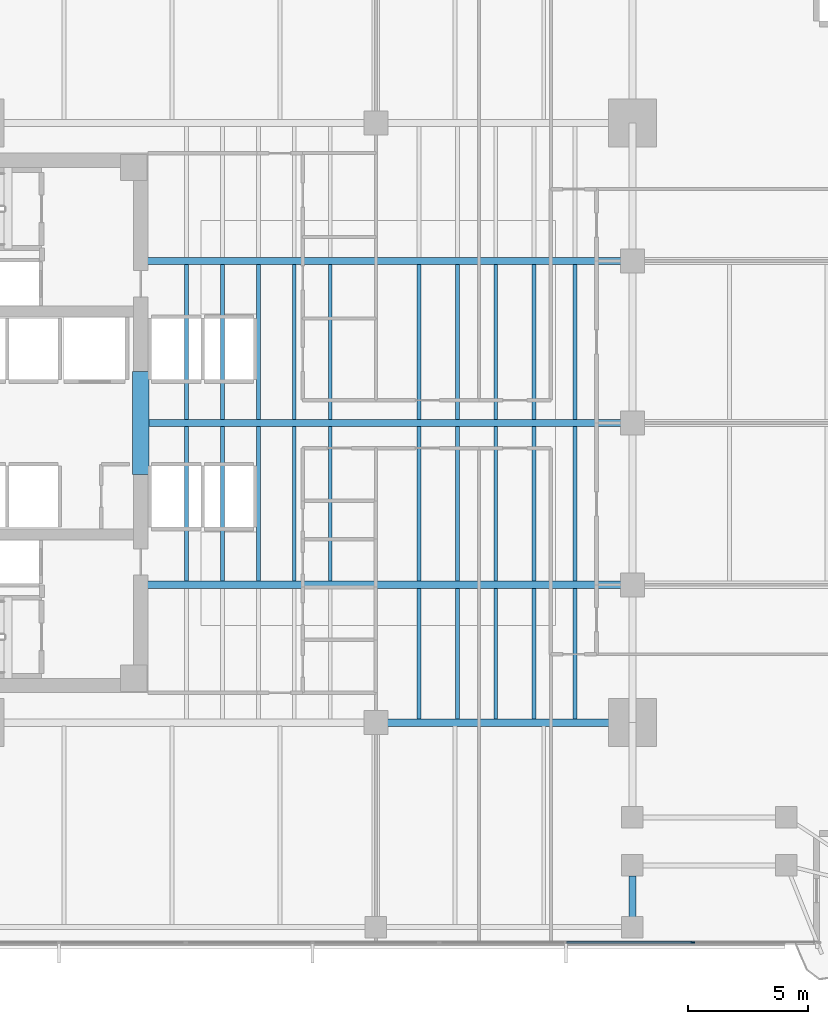
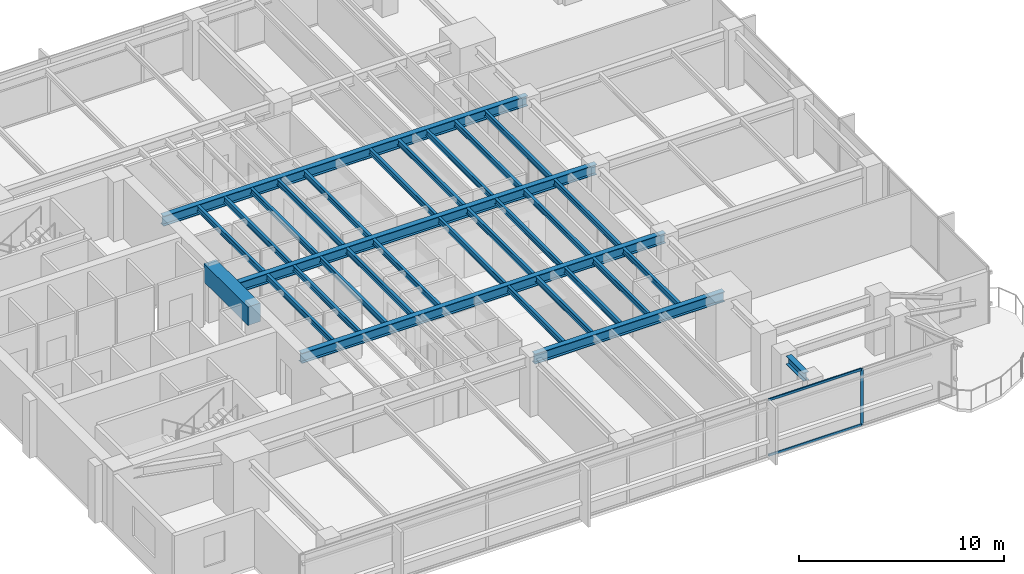
# One storey, part 3 of 14: 31 beams, 3 members, 1 element without a shape of its own.
"""IFC4 building model written with IfcOpenShell, lengths in metres."""

from ifc_helpers import new_model, si_unit, direction, frame, origin, origin_2d, place, context, subcontext, project, spatial, rectangle, i_section, extrude, material, layer, layer_set, material_profile, profile_set, type_object, element, aggregate, save


model = new_model("IFC4")

# Units and contexts
model_context = context("Model", 3, precision=1e-05, world=origin(), true_north=direction((0.0, 1.0)))
body_context = subcontext(model_context, "Body", "Model", "MODEL_VIEW")
ifc_project = project(units=[si_unit("LENGTHUNIT", "METRE"), si_unit("AREAUNIT", "SQUARE_METRE"), si_unit("VOLUMEUNIT", "CUBIC_METRE"), si_unit("PLANEANGLEUNIT", "RADIAN"), si_unit("MASSUNIT", "GRAM", prefix="KILO")], contexts=[model_context])

# Site, building, storey
site_placement = place(None, origin())
site = spatial("IfcSite", under=ifc_project, at=site_placement, CompositionType="ELEMENT")
building_placement = place(site_placement, origin())
building = spatial("IfcBuilding", under=site, at=building_placement, Name="Kinhvarn Gate Tower", CompositionType="ELEMENT")
storey_placement = place(building_placement, frame((0.0, 0.0, 102.25)))
storey = spatial("IfcBuildingStorey", under=building, at=storey_placement, Name="L26", CompositionType="ELEMENT", Elevation=102.25)

# Beam
ifc_material_1 = material(Name="Concrete C70/85", Category="concrete")
ifc_material_profile_1 = material_profile(ifc_material_1, rectangle(XDim=0.699951171875, YDim=1.10009765625, at=origin_2d()), Name="RC 700x1100")
ifc_profile_set_1 = profile_set([ifc_material_profile_1], Name="Concrete C70/85")
beam_type_1 = type_object("IfcBeamType", Name="BM-CB-1100", PredefinedType="LINTEL", material=ifc_profile_set_1)
beam_1_placement = place(storey_placement, frame((17.699951171875, 23.10009765625, 2.820068359375), z_axis=(0.0, 1.0, 0.0), x_axis=(-1.0, 0.0, 0.0)))
element("IfcBeam", 1, at=beam_1_placement, inside=storey, type_object=beam_type_1, Name="Core East Portal Coupling Beam L26", PredefinedType="LINTEL", context=body_context, shape_type="SweptSolid", body=[
    extrude(rectangle(XDim=0.699951171875, YDim=1.10009765625, at=origin_2d()), origin(), (0.0, 0.0, 1.0), 4.2998046875),
])

# Curtain wall, members
ifc_material_2 = material(Name="Anodised aluminium AW-6063", Category="aluminium")
ifc_layer = layer(ifc_material_2, 0.179931640625)
ifc_layer_set = layer_set([ifc_layer], Name="Anodised aluminium AW-6063")
curtain_wall_type = type_object("IfcCurtainWallType", Name="CW-SYS-3", PredefinedType="NOTDEFINED", material=ifc_layer_set)
curtain_wall_placement = place(storey_placement, origin())
curtain_wall = element("IfcCurtainWall", 2, at=curtain_wall_placement, inside=storey, type_object=curtain_wall_type, Name="Curtain Wall CW3 (L26)", PredefinedType="NOTDEFINED")
ifc_material_profile_2 = material_profile(ifc_material_2, rectangle(XDim=0.06494140625, YDim=0.159912109375, at=origin_2d()), Name="ALU 65x160")
ifc_profile_set_2 = profile_set([ifc_material_profile_2], Name="Anodised aluminium AW-6063")
member_type_1 = type_object("IfcMemberType", Name="CW-MUL-160", PredefinedType="MULLION", material=ifc_profile_set_2)
member_1_placement = place(storey_placement, frame((40.71435546875, 3.590087890625, 0.0), z_axis=(0.0, 0.0, 1.0), x_axis=(0.0, 1.0, 0.0)))
member_1 = element("IfcMember", 3, at=member_1_placement, type_object=member_type_1, Name="CW3 mullion 7", PredefinedType="MULLION", context=body_context, shape_type="SweptSolid", body=[
    extrude(rectangle(XDim=0.06494140625, YDim=0.159912109375, at=origin_2d()), origin(), (0.0, 0.0, 1.0), 3.3701171875),
])
ifc_material_profile_3 = material_profile(ifc_material_2, rectangle(XDim=0.070068359375, YDim=0.139892578125, at=origin_2d()), Name="ALU 70x140")
ifc_profile_set_3 = profile_set([ifc_material_profile_3], Name="Anodised aluminium AW-6063")
member_type_2 = type_object("IfcMemberType", Name="CW-TRN-140", PredefinedType="USERDEFINED", material=ifc_profile_set_3)
member_2_placement = place(storey_placement, frame((35.461181640625, 3.590087890625, 0.034912109375), z_axis=(1.0, 0.0, 0.0), x_axis=(0.0, 1.0, 0.0)))
member_2 = element("IfcMember", 4, at=member_2_placement, type_object=member_type_2, Name="CW3 transom 6.1", ObjectType="TRANSOM", PredefinedType="USERDEFINED", context=body_context, shape_type="SweptSolid", body=[
    extrude(rectangle(XDim=0.070068359375, YDim=0.139892578125, at=origin_2d()), origin(), (0.0, 0.0, 1.0), 5.220703125),
])
member_3_placement = place(storey_placement, frame((35.461181640625, 3.590087890625, 3.3349609375), z_axis=(1.0, 0.0, 0.0), x_axis=(0.0, 1.0, 0.0)))
member_3 = element("IfcMember", 5, at=member_3_placement, type_object=member_type_2, Name="CW3 transom 6.2", ObjectType="TRANSOM", PredefinedType="USERDEFINED", context=body_context, shape_type="SweptSolid", body=[
    extrude(rectangle(XDim=0.070068359375, YDim=0.139892578125, at=origin_2d()), origin(), (0.0, 0.0, 1.0), 5.220703125),
])
aggregate(curtain_wall, [member_1, member_2, member_3])

# Beams
ifc_material_3 = material(Name="Steel S355", Category="steel")
ifc_material_profile_4 = material_profile(ifc_material_3, i_section(OverallWidth=0.300048828125, OverallDepth=0.5, WebThickness=0.014404296875, FlangeThickness=0.028076171875, at=origin_2d()), Name="HEB 500")
ifc_profile_set_4 = profile_set([ifc_material_profile_4], Name="Steel S355")
beam_type_2 = type_object("IfcBeamType", Name="STL-HEB500", PredefinedType="BEAM", material=ifc_profile_set_4)
beam_2_placement = place(storey_placement, frame((38.199951171875, 4.655029296875, 3.1201171875), z_axis=(0.0, 1.0, 0.0), x_axis=(-1.0, 0.0, 0.0)))
element("IfcBeam", 6, at=beam_2_placement, inside=storey, type_object=beam_type_2, Name="Floor Beam PG-14 (L26 MCE-S-A0)", PredefinedType="BEAM", context=body_context, shape_type="SweptSolid", body=[
    extrude(i_section(OverallWidth=0.300048828125, OverallDepth=0.5, WebThickness=0.014404296875, FlangeThickness=0.028076171875, at=origin_2d()), origin(), (0.0, 0.0, 1.0), 1.7099609375),
])
ifc_material_profile_5 = material_profile(ifc_material_3, i_section(OverallWidth=0.300048828125, OverallDepth=0.60009765625, WebThickness=0.015380859375, FlangeThickness=0.030029296875, at=origin_2d()), Name="HEB 600")
ifc_profile_set_5 = profile_set([ifc_material_profile_5], Name="Steel S355")
beam_type_3 = type_object("IfcBeamType", Name="STL-HEB600", PredefinedType="BEAM", material=ifc_profile_set_5)
beam_3_placement = place(storey_placement, frame((27.5, 12.75, 3.070068359375), z_axis=(1.0, 0.0, 0.0), x_axis=(0.0, 1.0, 0.0)))
element("IfcBeam", 7, at=beam_3_placement, inside=storey, type_object=beam_type_3, Name="Floor Beam PG-16 (L26 MG-S2)", PredefinedType="BEAM", context=body_context, shape_type="SweptSolid", body=[
    extrude(i_section(OverallWidth=0.300048828125, OverallDepth=0.60009765625, WebThickness=0.015380859375, FlangeThickness=0.030029296875, at=origin_2d()), origin(), (0.0, 0.0, 1.0), 10.699951171875),
])
beam_4_placement = place(storey_placement, frame((17.64990234375, 18.5, 3.070068359375), z_axis=(1.0, 0.0, 0.0), x_axis=(0.0, 1.0, 0.0)))
element("IfcBeam", 8, at=beam_4_placement, inside=storey, type_object=beam_type_3, Name="Floor Beam PG-16 (L26 EW1-Y18)", PredefinedType="BEAM", context=body_context, shape_type="SweptSolid", body=[
    extrude(i_section(OverallWidth=0.300048828125, OverallDepth=0.60009765625, WebThickness=0.015380859375, FlangeThickness=0.030029296875, at=origin_2d()), origin(), (0.0, 0.0, 1.0), 20.550048828125),
])
beam_5_placement = place(storey_placement, frame((18.050048828125, 25.25, 3.070068359375), z_axis=(1.0, 0.0, 0.0), x_axis=(0.0, 1.0, 0.0)))
element("IfcBeam", 9, at=beam_5_placement, inside=storey, type_object=beam_type_3, Name="Floor Beam PG-16 (L26 EW1-Y25)", PredefinedType="BEAM", context=body_context, shape_type="SweptSolid", body=[
    extrude(i_section(OverallWidth=0.300048828125, OverallDepth=0.60009765625, WebThickness=0.015380859375, FlangeThickness=0.030029296875, at=origin_2d()), origin(), (0.0, 0.0, 1.0), 20.14990234375),
])
beam_6_placement = place(storey_placement, frame((17.64990234375, 32.0, 3.070068359375), z_axis=(1.0, 0.0, 0.0), x_axis=(0.0, 1.0, 0.0)))
element("IfcBeam", 10, at=beam_6_placement, inside=storey, type_object=beam_type_3, Name="Floor Beam PG-16 (L26 EW1-Y32)", PredefinedType="BEAM", context=body_context, shape_type="SweptSolid", body=[
    extrude(i_section(OverallWidth=0.300048828125, OverallDepth=0.60009765625, WebThickness=0.015380859375, FlangeThickness=0.030029296875, at=origin_2d()), origin(), (0.0, 0.0, 1.0), 20.550048828125),
])
ifc_material_profile_6 = material_profile(ifc_material_3, i_section(OverallWidth=0.159912109375, OverallDepth=0.330078125, WebThickness=0.007568359375, FlangeThickness=0.011474609375, at=origin_2d()), Name="IPE 330")
ifc_profile_set_6 = profile_set([ifc_material_profile_6], Name="Steel S355")
beam_type_4 = type_object("IfcBeamType", Name="STL-IPE330", PredefinedType="JOIST", material=ifc_profile_set_6)
for number, where, z_axis, x_axis, name in (
    (11, (19.60009765625, 18.64990234375, 3.205078125), (0.0, 1.0, 0.0), (-1.0, 0.0, 0.0), "Floor Joist SB-03 (L26 JC-X196-1)"),
    (12, (19.60009765625, 25.39990234375, 3.205078125), (0.0, 1.0, 0.0), (-1.0, 0.0, 0.0), "Floor Joist SB-03 (L26 JC-X196-2)"),
    (13, (21.10009765625, 18.64990234375, 3.205078125), (0.0, 1.0, 0.0), (-1.0, 0.0, 0.0), "Floor Joist SB-03 (L26 JC-X211-1)"),
    (14, (21.10009765625, 25.39990234375, 3.205078125), (0.0, 1.0, 0.0), (-1.0, 0.0, 0.0), "Floor Joist SB-03 (L26 JC-X211-2)"),
    (15, (22.60009765625, 18.64990234375, 3.205078125), (0.0, 1.0, 0.0), (-1.0, 0.0, 0.0), "Floor Joist SB-03 (L26 JC-X226-1)"),
    (16, (22.60009765625, 25.39990234375, 3.205078125), (0.0, 1.0, 0.0), (-1.0, 0.0, 0.0), "Floor Joist SB-03 (L26 JC-X226-2)"),
    (17, (24.10009765625, 18.64990234375, 3.205078125), (0.0, 1.0, 0.0), (-1.0, 0.0, 0.0), "Floor Joist SB-03 (L26 JC-X241-1)"),
    (18, (24.10009765625, 25.39990234375, 3.205078125), (0.0, 1.0, 0.0), (-1.0, 0.0, 0.0), "Floor Joist SB-03 (L26 JC-X241-2)"),
    (19, (25.60009765625, 18.64990234375, 3.205078125), (0.0, 1.0, 0.0), (-1.0, 0.0, 0.0), "Floor Joist SB-03 (L26 JC-X256-1)"),
    (20, (25.60009765625, 25.39990234375, 3.205078125), (0.0, 1.0, 0.0), (-1.0, 0.0, 0.0), "Floor Joist SB-03 (L26 JC-X256-2)"),
):
    element("IfcBeam", number, at=place(storey_placement, frame(where, z_axis=z_axis, x_axis=x_axis)), inside=storey, type_object=beam_type_4, Name=name, PredefinedType="JOIST", context=body_context, shape_type="SweptSolid", body=[
        extrude(i_section(OverallWidth=0.159912109375, OverallDepth=0.330078125, WebThickness=0.007568359375, FlangeThickness=0.011474609375, at=origin_2d()), origin(), (0.0, 0.0, 1.0), 6.4501953125),
    ])
beam_7_placement = place(storey_placement, frame((29.300048828125, 12.89990234375, 3.205078125), z_axis=(0.0, 1.0, 0.0), x_axis=(-1.0, 0.0, 0.0)))
element("IfcBeam", 21, at=beam_7_placement, inside=storey, type_object=beam_type_4, Name="Floor Joist SB-03 (L26 JC-X293-0)", PredefinedType="JOIST", context=body_context, shape_type="SweptSolid", body=[
    extrude(i_section(OverallWidth=0.159912109375, OverallDepth=0.330078125, WebThickness=0.007568359375, FlangeThickness=0.011474609375, at=origin_2d()), origin(), (0.0, 0.0, 1.0), 5.4501953125),
])
for number, where, z_axis, x_axis, name in (
    (22, (29.300048828125, 18.64990234375, 3.205078125), (0.0, 1.0, 0.0), (-1.0, 0.0, 0.0), "Floor Joist SB-03 (L26 JC-X293-1)"),
    (23, (29.300048828125, 25.39990234375, 3.205078125), (0.0, 1.0, 0.0), (-1.0, 0.0, 0.0), "Floor Joist SB-03 (L26 JC-X293-2)"),
):
    element("IfcBeam", number, at=place(storey_placement, frame(where, z_axis=z_axis, x_axis=x_axis)), inside=storey, type_object=beam_type_4, Name=name, PredefinedType="JOIST", context=body_context, shape_type="SweptSolid", body=[
        extrude(i_section(OverallWidth=0.159912109375, OverallDepth=0.330078125, WebThickness=0.007568359375, FlangeThickness=0.011474609375, at=origin_2d()), origin(), (0.0, 0.0, 1.0), 6.4501953125),
    ])
beam_8_placement = place(storey_placement, frame((30.89990234375, 12.89990234375, 3.205078125), z_axis=(0.0, 1.0, 0.0), x_axis=(-1.0, 0.0, 0.0)))
element("IfcBeam", 24, at=beam_8_placement, inside=storey, type_object=beam_type_4, Name="Floor Joist SB-03 (L26 JC-X309-0)", PredefinedType="JOIST", context=body_context, shape_type="SweptSolid", body=[
    extrude(i_section(OverallWidth=0.159912109375, OverallDepth=0.330078125, WebThickness=0.007568359375, FlangeThickness=0.011474609375, at=origin_2d()), origin(), (0.0, 0.0, 1.0), 5.4501953125),
])
for number, where, z_axis, x_axis, name in (
    (25, (30.89990234375, 18.64990234375, 3.205078125), (0.0, 1.0, 0.0), (-1.0, 0.0, 0.0), "Floor Joist SB-03 (L26 JC-X309-1)"),
    (26, (30.89990234375, 25.39990234375, 3.205078125), (0.0, 1.0, 0.0), (-1.0, 0.0, 0.0), "Floor Joist SB-03 (L26 JC-X309-2)"),
):
    element("IfcBeam", number, at=place(storey_placement, frame(where, z_axis=z_axis, x_axis=x_axis)), inside=storey, type_object=beam_type_4, Name=name, PredefinedType="JOIST", context=body_context, shape_type="SweptSolid", body=[
        extrude(i_section(OverallWidth=0.159912109375, OverallDepth=0.330078125, WebThickness=0.007568359375, FlangeThickness=0.011474609375, at=origin_2d()), origin(), (0.0, 0.0, 1.0), 6.4501953125),
    ])
beam_9_placement = place(storey_placement, frame((32.5, 12.89990234375, 3.205078125), z_axis=(0.0, 1.0, 0.0), x_axis=(-1.0, 0.0, 0.0)))
element("IfcBeam", 27, at=beam_9_placement, inside=storey, type_object=beam_type_4, Name="Floor Joist SB-03 (L26 JC-X325-0)", PredefinedType="JOIST", context=body_context, shape_type="SweptSolid", body=[
    extrude(i_section(OverallWidth=0.159912109375, OverallDepth=0.330078125, WebThickness=0.007568359375, FlangeThickness=0.011474609375, at=origin_2d()), origin(), (0.0, 0.0, 1.0), 5.4501953125),
])
for number, where, z_axis, x_axis, name in (
    (28, (32.5, 18.64990234375, 3.205078125), (0.0, 1.0, 0.0), (-1.0, 0.0, 0.0), "Floor Joist SB-03 (L26 JC-X325-1)"),
    (29, (32.5, 25.39990234375, 3.205078125), (0.0, 1.0, 0.0), (-1.0, 0.0, 0.0), "Floor Joist SB-03 (L26 JC-X325-2)"),
):
    element("IfcBeam", number, at=place(storey_placement, frame(where, z_axis=z_axis, x_axis=x_axis)), inside=storey, type_object=beam_type_4, Name=name, PredefinedType="JOIST", context=body_context, shape_type="SweptSolid", body=[
        extrude(i_section(OverallWidth=0.159912109375, OverallDepth=0.330078125, WebThickness=0.007568359375, FlangeThickness=0.011474609375, at=origin_2d()), origin(), (0.0, 0.0, 1.0), 6.4501953125),
    ])
beam_10_placement = place(storey_placement, frame((34.10009765625, 12.89990234375, 3.205078125), z_axis=(0.0, 1.0, 0.0), x_axis=(-1.0, 0.0, 0.0)))
element("IfcBeam", 30, at=beam_10_placement, inside=storey, type_object=beam_type_4, Name="Floor Joist SB-03 (L26 JC-X341-0)", PredefinedType="JOIST", context=body_context, shape_type="SweptSolid", body=[
    extrude(i_section(OverallWidth=0.159912109375, OverallDepth=0.330078125, WebThickness=0.007568359375, FlangeThickness=0.011474609375, at=origin_2d()), origin(), (0.0, 0.0, 1.0), 5.4501953125),
])
for number, where, z_axis, x_axis, name in (
    (31, (34.10009765625, 18.64990234375, 3.205078125), (0.0, 1.0, 0.0), (-1.0, 0.0, 0.0), "Floor Joist SB-03 (L26 JC-X341-1)"),
    (32, (34.10009765625, 25.39990234375, 3.205078125), (0.0, 1.0, 0.0), (-1.0, 0.0, 0.0), "Floor Joist SB-03 (L26 JC-X341-2)"),
):
    element("IfcBeam", number, at=place(storey_placement, frame(where, z_axis=z_axis, x_axis=x_axis)), inside=storey, type_object=beam_type_4, Name=name, PredefinedType="JOIST", context=body_context, shape_type="SweptSolid", body=[
        extrude(i_section(OverallWidth=0.159912109375, OverallDepth=0.330078125, WebThickness=0.007568359375, FlangeThickness=0.011474609375, at=origin_2d()), origin(), (0.0, 0.0, 1.0), 6.4501953125),
    ])
beam_11_placement = place(storey_placement, frame((35.800048828125, 12.89990234375, 3.205078125), z_axis=(0.0, 1.0, 0.0), x_axis=(-1.0, 0.0, 0.0)))
element("IfcBeam", 33, at=beam_11_placement, inside=storey, type_object=beam_type_4, Name="Floor Joist SB-03 (L26 JC-X358-0)", PredefinedType="JOIST", context=body_context, shape_type="SweptSolid", body=[
    extrude(i_section(OverallWidth=0.159912109375, OverallDepth=0.330078125, WebThickness=0.007568359375, FlangeThickness=0.011474609375, at=origin_2d()), origin(), (0.0, 0.0, 1.0), 5.4501953125),
])
for number, where, z_axis, x_axis, name in (
    (34, (35.800048828125, 18.64990234375, 3.205078125), (0.0, 1.0, 0.0), (-1.0, 0.0, 0.0), "Floor Joist SB-03 (L26 JC-X358-1)"),
    (35, (35.800048828125, 25.39990234375, 3.205078125), (0.0, 1.0, 0.0), (-1.0, 0.0, 0.0), "Floor Joist SB-03 (L26 JC-X358-2)"),
):
    element("IfcBeam", number, at=place(storey_placement, frame(where, z_axis=z_axis, x_axis=x_axis)), inside=storey, type_object=beam_type_4, Name=name, PredefinedType="JOIST", context=body_context, shape_type="SweptSolid", body=[
        extrude(i_section(OverallWidth=0.159912109375, OverallDepth=0.330078125, WebThickness=0.007568359375, FlangeThickness=0.011474609375, at=origin_2d()), origin(), (0.0, 0.0, 1.0), 6.4501953125),
    ])

save(model, "model.ifc")
